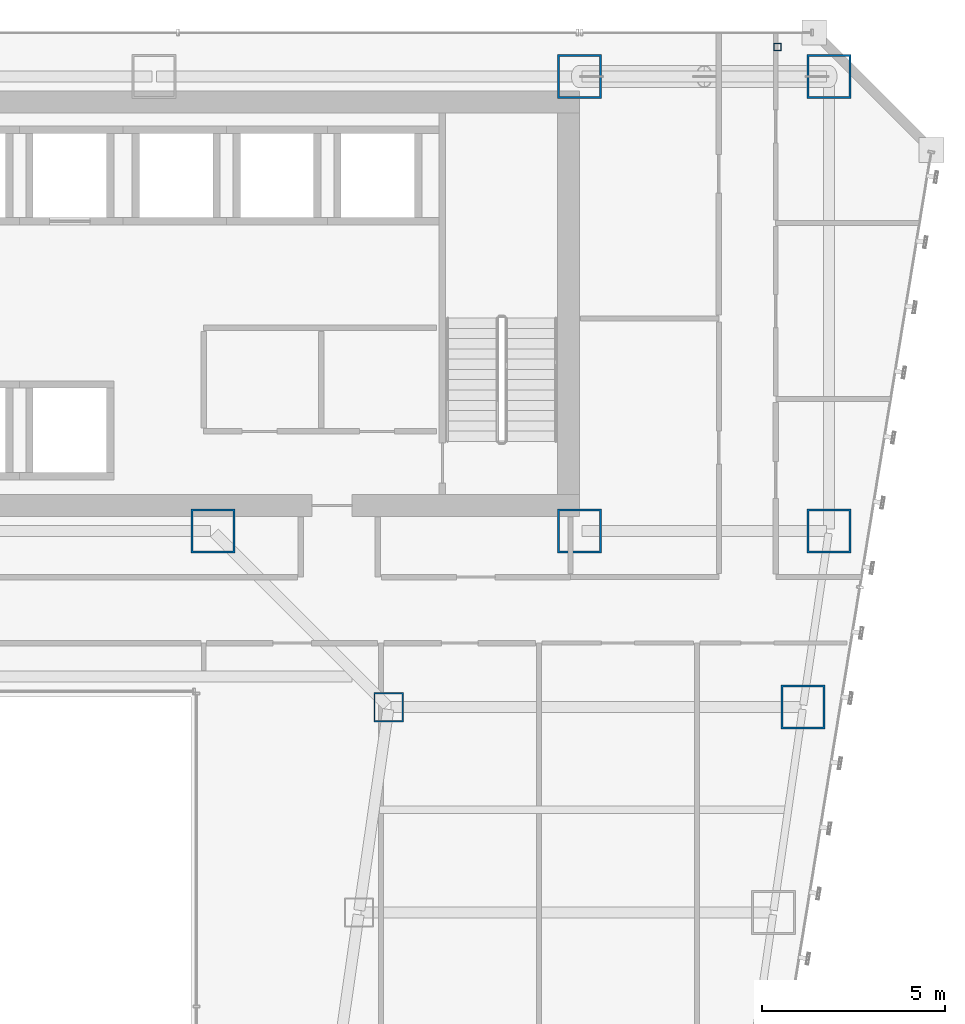
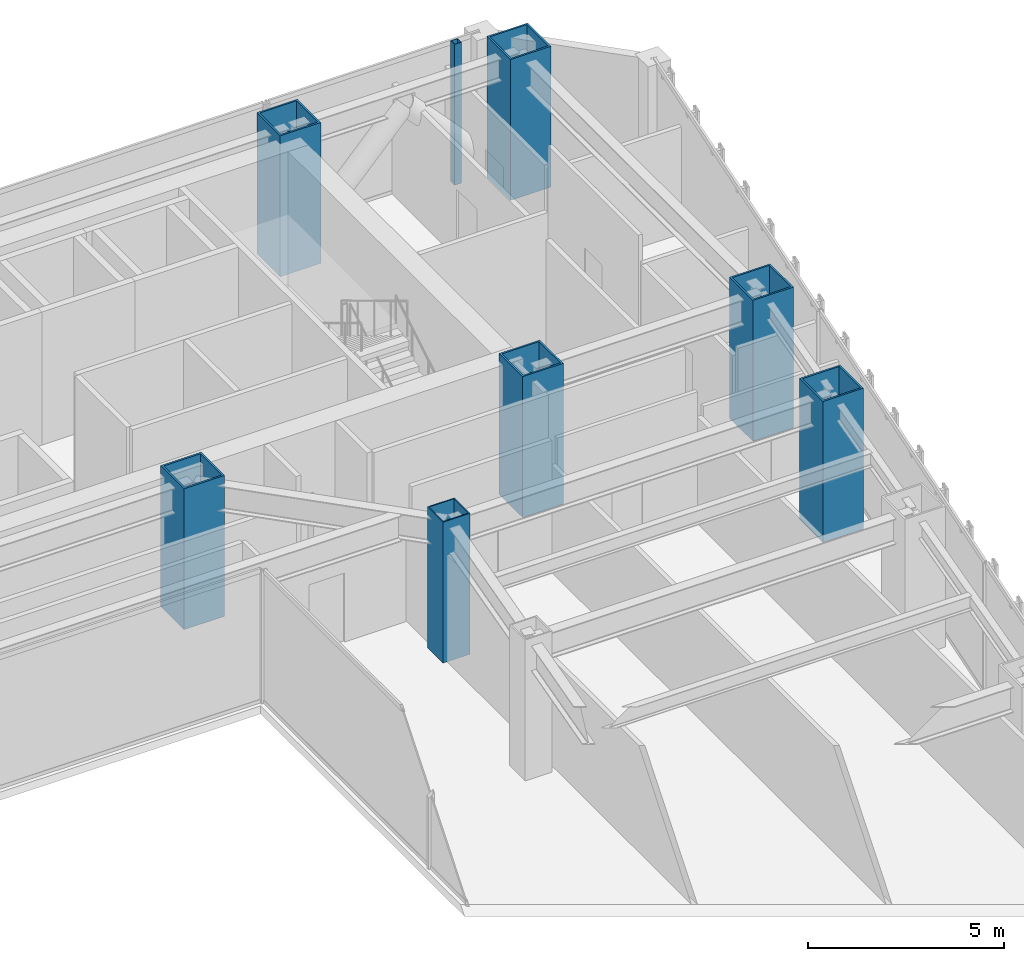
# One storey, part 3 of 47: 8 columns.
"""IFC4 building model written with IfcOpenShell, lengths in metres."""

import ifcopenshell
import ifcopenshell.guid

model = None  # the IFC model being written
_history = None  # IfcOwnerHistory: only IFC2X3 demands one
_inside = {}  # id of a spatial element -> (the spatial element, [elements in it])
_under = {}  # id of a project, library or spatial element -> (it, [spatial elements below it])
_declared = {}  # id of a project -> (the project, [libraries it declares])
_typed = {}  # id of a type object -> (the type object, [elements of that type])
_made_of = {}  # id of a material, layer set ... -> (it, [elements and type objects made of it])


def new_model(schema):
    """Start an empty IFC model of exactly this schema.

    Asked for "IFC4X3", IfcOpenShell would pick the latest addendum, in which some entities
    have other attributes; the version numbers below select the first issue.
    IFC2X3 requires an IfcOwnerHistory on every rooted entity: one is made here for all.
    """
    global model, _history
    if schema == "IFC4X3":
        model = ifcopenshell.file(schema_version=(4, 3, 0, 0))
    else:
        model = ifcopenshell.file(schema=schema)
    _inside.clear()
    _under.clear()
    _declared.clear()
    _typed.clear()
    _made_of.clear()
    _history = None
    if model.schema == "IFC2X3":
        org = make("IfcOrganization", Name="unknown")
        user = make(
            "IfcPersonAndOrganization",
            ThePerson=make("IfcPerson", FamilyName="unknown"),
            TheOrganization=org,
        )
        app = make(
            "IfcApplication",
            ApplicationDeveloper=org,
            Version="unknown",
            ApplicationFullName="unknown",
            ApplicationIdentifier="unknown",
        )
        _history = make(
            "IfcOwnerHistory",
            OwningUser=user,
            OwningApplication=app,
            ChangeAction="ADDED",
            CreationDate=0,
        )
    return model


def make(cls, **values):
    """One entity of the class cls with the attributes given. An attribute that is None is left unset."""
    return model.create_entity(
        cls, **{name: value for name, value in values.items() if value is not None}
    )


def rooted(cls, **values):
    """An entity with a GlobalId (a new one), such as an element, a storey or a relation."""
    return make(cls, GlobalId=ifcopenshell.guid.new(), OwnerHistory=_history, **values)


def si_unit(unit_type, name, prefix=None):
    """IfcSIUnit, for example si_unit("LENGTHUNIT", "METRE", prefix="MILLI")."""
    return make("IfcSIUnit", UnitType=unit_type, Prefix=prefix, Name=name)


def assignment(units):
    """IfcUnitAssignment: the units of a project."""
    return None if units is None else make("IfcUnitAssignment", Units=units)


def point(xyz):
    """IfcCartesianPoint."""
    return None if xyz is None else make("IfcCartesianPoint", Coordinates=xyz)


def direction(xyz):
    """IfcDirection."""
    return None if xyz is None else make("IfcDirection", DirectionRatios=xyz)


def frame(location, z_axis=None, x_axis=None):
    """IfcAxis2Placement3D, a coordinate frame: its origin and axes. An axis left out is left unset."""
    return make(
        "IfcAxis2Placement3D",
        Location=point(location),
        Axis=direction(z_axis),
        RefDirection=direction(x_axis),
    )


def frame_2d(location, x_axis=None):
    """IfcAxis2Placement2D, a coordinate frame in the plane: its origin and x axis."""
    return make(
        "IfcAxis2Placement2D", Location=point(location), RefDirection=direction(x_axis)
    )


def origin():
    """The frame at (0, 0, 0) with its axes left unset."""
    return frame((0.0, 0.0, 0.0))


def origin_2d():
    """The frame at (0, 0) in the plane with its x axis left unset."""
    return frame_2d((0.0, 0.0))


def place(relative_to, where):
    """IfcLocalPlacement: puts the frame where relative to a parent placement (None: the world)."""
    return make(
        "IfcLocalPlacement", PlacementRelTo=relative_to, RelativePlacement=where
    )


def context(
    kind, dimensions, precision=None, world=None, true_north=None, identifier=None
):
    """IfcGeometricRepresentationContext, for example the 3D "Model" context."""
    return make(
        "IfcGeometricRepresentationContext",
        ContextIdentifier=identifier,
        ContextType=kind,
        CoordinateSpaceDimension=dimensions,
        Precision=precision,
        WorldCoordinateSystem=world,
        TrueNorth=true_north,
    )


def subcontext(parent, identifier, kind, view, scale=None):
    """IfcGeometricRepresentationSubContext, for example "Body" below "Model"."""
    return make(
        "IfcGeometricRepresentationSubContext",
        ContextIdentifier=identifier,
        ContextType=kind,
        ParentContext=parent,
        TargetScale=scale,
        TargetView=view,
    )


def project(units=None, contexts=None):
    """IfcProject with its units and contexts."""
    return rooted(
        "IfcProject",
        Name="project",
        RepresentationContexts=contexts,
        UnitsInContext=assignment(units),
    )


def spatial(cls, under=None, at=None, **own):
    """A site, building, storey or space (cls), placed at a placement, below another one or the project."""
    s = rooted(cls, ObjectPlacement=at, **own)
    if under is not None:
        _under.setdefault(under.id(), (under, []))[1].append(s)
    return s


def profile(cls, at=None, kind="AREA", **sizes):
    """A parametric profile (cls). Its sizes go by their IFC names, for example OverallWidth=200.0."""
    return make(cls, ProfileType=kind, Position=at, **sizes)


def hollow_rectangle(**sizes):
    """IfcRectangleHollowProfileDef."""
    return profile("IfcRectangleHollowProfileDef", **sizes)


def extrude(swept, where, along, depth):
    """IfcExtrudedAreaSolid: the profile swept, set in the frame where, extruded along a direction by depth."""
    return make(
        "IfcExtrudedAreaSolid",
        SweptArea=swept,
        Position=where,
        ExtrudedDirection=direction(along),
        Depth=depth,
    )


def shape(context_of_items, identifier, shape_type, items):
    """IfcShapeRepresentation: the items that make up one representation, for example the "Body"."""
    return make(
        "IfcShapeRepresentation",
        ContextOfItems=context_of_items,
        RepresentationIdentifier=identifier,
        RepresentationType=shape_type,
        Items=items,
    )


def material(Name=None, Category=None):
    """IfcMaterial."""
    return make("IfcMaterial", Name=Name, Category=Category)


def material_profile(
    of_material, cross_section, Name=None, Category=None, Priority=None
):
    """IfcMaterialProfile: a cross section and its material."""
    return make(
        "IfcMaterialProfile",
        Name=Name,
        Material=of_material,
        Profile=cross_section,
        Priority=Priority,
        Category=Category,
    )


def profile_set(profiles, Name=None, composite=None):
    """IfcMaterialProfileSet."""
    return make(
        "IfcMaterialProfileSet",
        Name=Name,
        MaterialProfiles=profiles,
        CompositeProfile=composite,
    )


def made_of(thing, what):
    """Note that an element or type object is made of a material, layer set ...; save() writes the relation."""
    if what is not None:
        _made_of.setdefault(what.id(), (what, []))[1].append(thing)
    return thing


def type_object(cls, material=None, **own):
    """A type object (cls), such as IfcWallType, which elements share."""
    return made_of(rooted(cls, **own), material)


def element(
    cls,
    number,
    at=None,
    inside=None,
    cuts=None,
    type_object=None,
    material=None,
    context=None,
    identifier="Body",
    shape_type=None,
    held_by="IfcProductDefinitionShape",
    body=None,
    shapes=None,
    **own,
):
    """One element of the class cls, such as IfcWall. Its Tag is "e" and its number.

    at: its placement. inside: the storey or other place that contains it. cuts: it is an
    opening in that element (IfcRelVoidsElement). A single representation is given by context,
    identifier, shape_type and body (its items); several are given by shapes. held_by: the class
    of the entity that holds the representations. save() writes the other relations.
    """
    e = rooted(cls, Tag="e%d" % number, ObjectPlacement=at, **own)
    if body is not None:
        shapes = [shape(context, identifier, shape_type, body)]
    if shapes is not None:
        e.Representation = make(held_by, Representations=shapes)
    if inside is not None:
        _inside.setdefault(inside.id(), (inside, []))[1].append(e)
    if cuts is not None:
        rooted(
            "IfcRelVoidsElement", RelatingBuildingElement=cuts, RelatedOpeningElement=e
        )
    if type_object is not None:
        _typed.setdefault(type_object.id(), (type_object, []))[1].append(e)
    return made_of(e, material)


def aggregate(whole, parts):
    """IfcRelAggregates: a whole, such as a stair, and the parts it consists of."""
    return rooted("IfcRelAggregates", RelatingObject=whole, RelatedObjects=parts)


def save(model, path):
    """Write the relations noted so far, then the file.

    IfcRelAggregates (storeys below a building ...), IfcRelContainedInSpatialStructure (elements
    in a storey), IfcRelDefinesByType, IfcRelAssociatesMaterial and IfcRelDeclares: one each for
    every whole, place, type object, material and project.
    """
    for whole, parts in _under.values():
        aggregate(whole, parts)
    for where, things in _inside.values():
        rooted(
            "IfcRelContainedInSpatialStructure",
            RelatedElements=things,
            RelatingStructure=where,
        )
    for kind, things in _typed.values():
        rooted("IfcRelDefinesByType", RelatedObjects=things, RelatingType=kind)
    for what, things in _made_of.values():
        rooted("IfcRelAssociatesMaterial", RelatedObjects=things, RelatingMaterial=what)
    for by, libraries in _declared.values():
        rooted("IfcRelDeclares", RelatingContext=by, RelatedDefinitions=libraries)
    model.write(path)


model = new_model("IFC4")

# Units and contexts
model_context = context("Model", 3, precision=1e-05, world=origin(), true_north=direction((0.0, 1.0)))
body_context = subcontext(model_context, "Body", "Model", "MODEL_VIEW")
ifc_project = project(units=[si_unit("LENGTHUNIT", "METRE"), si_unit("AREAUNIT", "SQUARE_METRE"), si_unit("VOLUMEUNIT", "CUBIC_METRE"), si_unit("PLANEANGLEUNIT", "RADIAN"), si_unit("MASSUNIT", "GRAM", prefix="KILO")], contexts=[model_context])

# Site, building, storey
site_placement = place(None, origin())
site = spatial("IfcSite", under=ifc_project, at=site_placement, CompositionType="ELEMENT")
building_placement = place(site_placement, origin())
building = spatial("IfcBuilding", under=site, at=building_placement, Name="Saevonmaru Cultural Tower", CompositionType="ELEMENT")
storey_placement = place(building_placement, frame((0.0, 0.0, 64.800048828125)))
storey = spatial("IfcBuildingStorey", under=building, at=storey_placement, Name="L13", CompositionType="ELEMENT", Elevation=64.800048828125)

# Columns
ifc_material_1 = material(Name="Steel HSA600 (600 MPa)", Category="steel")
ifc_material_profile_1 = material_profile(ifc_material_1, hollow_rectangle(XDim=1.199951171875, YDim=1.199951171875, WallThickness=0.054931640625, at=origin_2d()), Name="BOX-1200x1200x55")
ifc_profile_set_1 = profile_set([ifc_material_profile_1], Name="Steel HSA600 (600 MPa)")
column_type_1 = type_object("IfcColumnType", Name="COL-BOX-1200", PredefinedType="COLUMN", material=ifc_profile_set_1)
for number, where, z_axis, x_axis, name in (
    (1, (46.39990234375, 54.800048828125, 0.0), (0.0, 0.0, 1.0), (1.0, 0.0, 0.0), "L13 Column TC-N5N"),
    (2, (53.199951171875, 54.800048828125, 0.0), (0.0, 0.0, 1.0), (1.0, 0.0, 0.0), "L13 Column TC-N6N"),
    (3, (36.39990234375, 42.39990234375, 0.0), (0.0, 0.0, 1.0), (1.0, 0.0, 0.0), "L13 Column TC-S4C"),
    (4, (46.39990234375, 42.39990234375, 0.0), (0.0, 0.0, 1.0), (1.0, 0.0, 0.0), "L13 Column TC-S5C"),
    (5, (53.199951171875, 42.39990234375, 0.0), (0.0, 0.0, 1.0), (1.0, 0.0, 0.0), "L13 Column TC-S6C"),
    (6, (52.491943359375, 37.60009765625, 0.0), (0.0, 0.0, 1.0), (1.0, 0.0, 0.0), "L13 Column TC-EO-Y376"),
):
    element("IfcColumn", number, at=place(storey_placement, frame(where, z_axis=z_axis, x_axis=x_axis)), inside=storey, type_object=column_type_1, Name=name, PredefinedType="COLUMN", context=body_context, shape_type="SweptSolid", body=[
        extrude(hollow_rectangle(XDim=1.199951171875, YDim=1.199951171875, WallThickness=0.054931640625, at=origin_2d()), origin(), (0.0, 0.0, 1.0), 4.39990234375),
    ])
ifc_material_2 = material(Name="Steel SM420", Category="steel")
ifc_material_profile_2 = material_profile(ifc_material_2, hollow_rectangle(XDim=0.800048828125, YDim=0.800048828125, WallThickness=0.035888671875, at=origin_2d()), Name="BOX-800x800x36")
ifc_profile_set_2 = profile_set([ifc_material_profile_2], Name="Steel SM420")
column_type_2 = type_object("IfcColumnType", Name="COL-BOX-800", PredefinedType="COLUMN", material=ifc_profile_set_2)
column_1_placement = place(storey_placement, frame((41.19189453125, 37.60009765625, 0.0), z_axis=(0.0, 0.0, 1.0), x_axis=(1.0, 0.0, 0.0)))
element("IfcColumn", 7, at=column_1_placement, inside=storey, type_object=column_type_2, Name="L13 Column TC-EI-Y376", PredefinedType="COLUMN", context=body_context, shape_type="SweptSolid", body=[
    extrude(hollow_rectangle(XDim=0.800048828125, YDim=0.800048828125, WallThickness=0.035888671875, at=origin_2d()), origin(), (0.0, 0.0, 1.0), 4.39990234375),
])
ifc_material_3 = material(Name="Steel SM355", Category="steel")
ifc_material_profile_3 = material_profile(ifc_material_3, hollow_rectangle(XDim=0.199951171875, YDim=0.199951171875, WallThickness=0.010009765625, at=origin_2d()), Name="SHS-200x200x10")
ifc_profile_set_3 = profile_set([ifc_material_profile_3], Name="Steel SM355")
column_type_3 = type_object("IfcColumnType", Name="PIL-SHS-200", PredefinedType="PILASTER", material=ifc_profile_set_3)
column_2_placement = place(storey_placement, frame((51.800048828125, 55.60009765625, 0.0), z_axis=(0.0, 0.0, 1.0), x_axis=(1.0, 0.0, 0.0)))
element("IfcColumn", 8, at=column_2_placement, inside=storey, type_object=column_type_3, Name="L13 Art Deco Bronze-Clad Pilaster PIL-NE", PredefinedType="PILASTER", context=body_context, shape_type="SweptSolid", body=[
    extrude(hollow_rectangle(XDim=0.199951171875, YDim=0.199951171875, WallThickness=0.010009765625, at=origin_2d()), origin(), (0.0, 0.0, 1.0), 4.39990234375),
])

save(model, "model.ifc")
